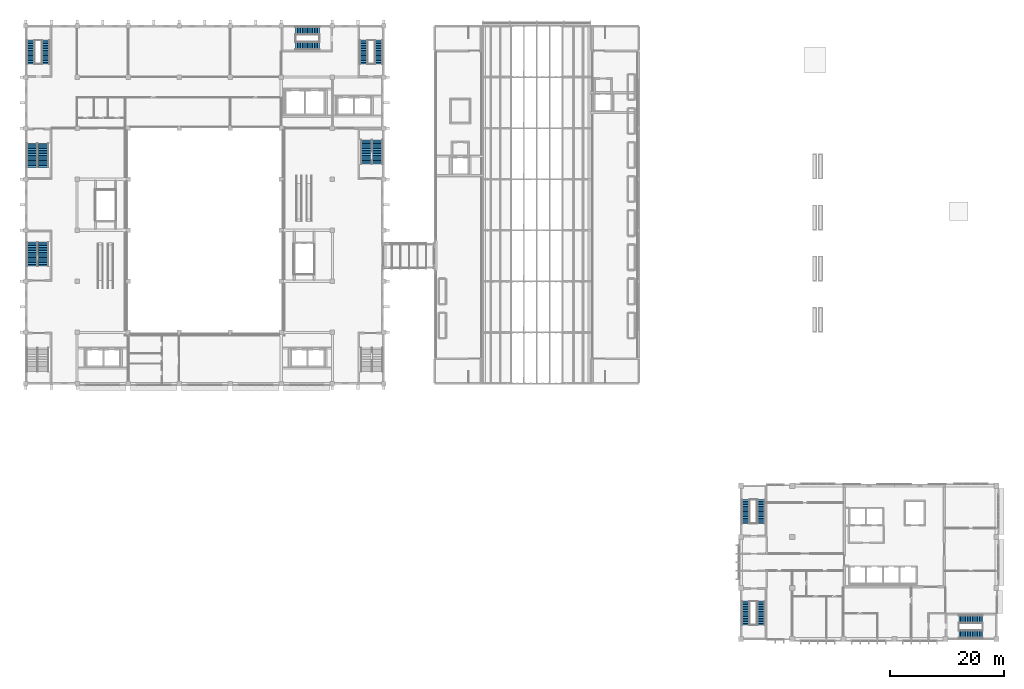
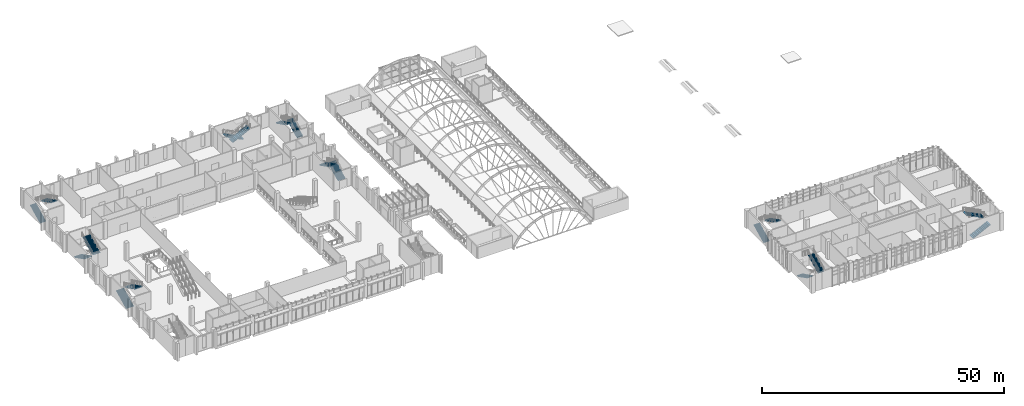
# One storey, part 62 of 79: 18 stair flights, 9 elements without a shape of their own.
"""IFC4 building model written with IfcOpenShell, lengths in metres."""

from ifc_helpers import new_model, si_unit, direction, frame, origin, place, context, subcontext, project, spatial, polyline, outline, extrude, material, type_object, element, aggregate, save


model = new_model("IFC4")

# Units and contexts
model_context = context("Model", 3, precision=1e-05, world=origin(), true_north=direction((0.0, 1.0)))
body_context = subcontext(model_context, "Body", "Model", "MODEL_VIEW")
ifc_project = project(units=[si_unit("LENGTHUNIT", "METRE"), si_unit("AREAUNIT", "SQUARE_METRE"), si_unit("VOLUMEUNIT", "CUBIC_METRE"), si_unit("PLANEANGLEUNIT", "RADIAN"), si_unit("MASSUNIT", "GRAM", prefix="KILO")], contexts=[model_context])

# Site, building, storey
site_placement = place(None, origin())
site = spatial("IfcSite", under=ifc_project, at=site_placement, CompositionType="ELEMENT")
building_placement = place(site_placement, origin())
building = spatial("IfcBuilding", under=site, at=building_placement, Name="Guidao Yard Department Store", CompositionType="ELEMENT")
storey_placement = place(building_placement, frame((0.0, 0.0, 15.0)))
storey = spatial("IfcBuildingStorey", under=building, at=storey_placement, Name="L03", CompositionType="ELEMENT", Elevation=15.0)

# Stair, stair flights
ifc_material_1 = material(Name="Concrete C35", Category="concrete")
stair_type_1 = type_object("IfcStairType", Name="Stair half-turn two-flight 1400 wide 4.5 m rise", PredefinedType="HALF_TURN_STAIR", material=ifc_material_1)
stair_1_placement = place(storey_placement, origin())
stair_1 = element("IfcStair", 1, at=stair_1_placement, inside=storey, type_object=stair_type_1, Name="Stair A5 L03 to L04", PredefinedType="HALF_TURN_STAIR")
ifc_material_2 = material(Name="Concrete C35", Category="concrete")
stair_flight_type_1 = type_object("IfcStairFlightType", Name="Stair flight RC straight 1400 wide 15 risers x 300 going C35", PredefinedType="STRAIGHT", material=ifc_material_2)
stair_flight_1_placement = place(storey_placement, frame((0.824951171875, 101.300048828125, 0.0), z_axis=(0.0, 0.0, 1.0), x_axis=(0.0, 1.0, 0.0)))
stair_flight_1 = element("IfcStairFlight", 2, at=stair_flight_1_placement, type_object=stair_flight_type_1, Name="SA5-L03 flight 1", NumberOfRisers=15, NumberOfTreads=14, PredefinedType="STRAIGHT", RiserHeight=0.15, TreadLength=0.3, context=body_context, shape_type="SweptSolid", body=[
    extrude(outline(polyline([(0.0, 0.0), (0.0, 0.14990234375), (0.300048828125, 0.14990234375), (0.300048828125, 0.300048828125), (0.60009765625, 0.300048828125), (0.60009765625, 0.449951171875), (0.89990234375, 0.449951171875), (0.89990234375, 0.60009765625), (1.199951171875, 0.60009765625), (1.199951171875, 0.75), (1.5, 0.75), (1.5, 0.89990234375), (1.800048828125, 0.89990234375), (1.800048828125, 1.050048828125), (2.10009765625, 1.050048828125), (2.10009765625, 1.199951171875), (2.39990234375, 1.199951171875), (2.39990234375, 1.35009765625), (2.699951171875, 1.35009765625), (2.699951171875, 1.5), (3.0, 1.5), (3.0, 1.64990234375), (3.300048828125, 1.64990234375), (3.300048828125, 1.800048828125), (3.60009765625, 1.800048828125), (3.60009765625, 1.949951171875), (3.89990234375, 1.949951171875), (3.89990234375, 2.10009765625), (4.199951171875, 2.10009765625), (4.199951171875, 2.25), (4.199951171875, 1.932373046875), (0.335205078125, 0.0), (0.0, 0.0)])), frame((0.0, 0.699951171875, 0.0), z_axis=(0.0, -1.0, 0.0), x_axis=(1.0, 0.0, 0.0)), (0.0, 0.0, 1.0), 1.39990234375),
])
stair_flight_2_placement = place(storey_placement, frame((3.5, 105.5, 2.25), z_axis=(0.0, 0.0, 1.0), x_axis=(0.0, -1.0, 0.0)))
stair_flight_2 = element("IfcStairFlight", 3, at=stair_flight_2_placement, type_object=stair_flight_type_1, Name="SA5-L03 flight 2", NumberOfRisers=15, NumberOfTreads=14, PredefinedType="STRAIGHT", RiserHeight=0.15, TreadLength=0.3, context=body_context, shape_type="SweptSolid", body=[
    extrude(outline(polyline([(0.0, 0.0), (0.0, 0.14990234375), (0.300048828125, 0.14990234375), (0.300048828125, 0.300048828125), (0.60009765625, 0.300048828125), (0.60009765625, 0.449951171875), (0.89990234375, 0.449951171875), (0.89990234375, 0.60009765625), (1.199951171875, 0.60009765625), (1.199951171875, 0.75), (1.5, 0.75), (1.5, 0.89990234375), (1.800048828125, 0.89990234375), (1.800048828125, 1.050048828125), (2.10009765625, 1.050048828125), (2.10009765625, 1.199951171875), (2.39990234375, 1.199951171875), (2.39990234375, 1.35009765625), (2.699951171875, 1.35009765625), (2.699951171875, 1.5), (3.0, 1.5), (3.0, 1.64990234375), (3.300048828125, 1.64990234375), (3.300048828125, 1.800048828125), (3.60009765625, 1.800048828125), (3.60009765625, 1.949951171875), (3.89990234375, 1.949951171875), (3.89990234375, 2.10009765625), (4.199951171875, 2.10009765625), (4.199951171875, 2.25), (4.199951171875, 1.932373046875), (0.335205078125, 0.0), (0.0, 0.0)])), frame((0.0, 0.699951171875, 0.0), z_axis=(0.0, -1.0, 0.0), x_axis=(1.0, 0.0, 0.0)), (0.0, 0.0, 1.0), 1.39990234375),
])
aggregate(stair_1, [stair_flight_1, stair_flight_2])

stair_2_placement = place(storey_placement, origin())
stair_2 = element("IfcStair", 4, at=stair_2_placement, inside=storey, type_object=stair_type_1, Name="Stair A6 L03 to L04", PredefinedType="HALF_TURN_STAIR")
stair_flight_3_placement = place(storey_placement, frame((62.175048828125, 101.300048828125, 0.0), z_axis=(0.0, 0.0, 1.0), x_axis=(0.0, 1.0, 0.0)))
stair_flight_3 = element("IfcStairFlight", 5, at=stair_flight_3_placement, type_object=stair_flight_type_1, Name="SA6-L03 flight 1", NumberOfRisers=15, NumberOfTreads=14, PredefinedType="STRAIGHT", RiserHeight=0.15, TreadLength=0.3, context=body_context, shape_type="SweptSolid", body=[
    extrude(outline(polyline([(0.0, 0.0), (0.0, 0.14990234375), (0.300048828125, 0.14990234375), (0.300048828125, 0.300048828125), (0.60009765625, 0.300048828125), (0.60009765625, 0.449951171875), (0.89990234375, 0.449951171875), (0.89990234375, 0.60009765625), (1.199951171875, 0.60009765625), (1.199951171875, 0.75), (1.5, 0.75), (1.5, 0.89990234375), (1.800048828125, 0.89990234375), (1.800048828125, 1.050048828125), (2.10009765625, 1.050048828125), (2.10009765625, 1.199951171875), (2.39990234375, 1.199951171875), (2.39990234375, 1.35009765625), (2.699951171875, 1.35009765625), (2.699951171875, 1.5), (3.0, 1.5), (3.0, 1.64990234375), (3.300048828125, 1.64990234375), (3.300048828125, 1.800048828125), (3.60009765625, 1.800048828125), (3.60009765625, 1.949951171875), (3.89990234375, 1.949951171875), (3.89990234375, 2.10009765625), (4.199951171875, 2.10009765625), (4.199951171875, 2.25), (4.199951171875, 1.932373046875), (0.335205078125, 0.0), (0.0, 0.0)])), frame((0.0, 0.699951171875, 0.0), z_axis=(0.0, -1.0, 0.0), x_axis=(1.0, 0.0, 0.0)), (0.0, 0.0, 1.0), 1.39990234375),
])
stair_flight_4_placement = place(storey_placement, frame((59.5, 105.5, 2.25), z_axis=(0.0, 0.0, 1.0), x_axis=(0.0, -1.0, 0.0)))
stair_flight_4 = element("IfcStairFlight", 6, at=stair_flight_4_placement, type_object=stair_flight_type_1, Name="SA6-L03 flight 2", NumberOfRisers=15, NumberOfTreads=14, PredefinedType="STRAIGHT", RiserHeight=0.15, TreadLength=0.3, context=body_context, shape_type="SweptSolid", body=[
    extrude(outline(polyline([(0.0, 0.0), (0.0, 0.14990234375), (0.300048828125, 0.14990234375), (0.300048828125, 0.300048828125), (0.60009765625, 0.300048828125), (0.60009765625, 0.449951171875), (0.89990234375, 0.449951171875), (0.89990234375, 0.60009765625), (1.199951171875, 0.60009765625), (1.199951171875, 0.75), (1.5, 0.75), (1.5, 0.89990234375), (1.800048828125, 0.89990234375), (1.800048828125, 1.050048828125), (2.10009765625, 1.050048828125), (2.10009765625, 1.199951171875), (2.39990234375, 1.199951171875), (2.39990234375, 1.35009765625), (2.699951171875, 1.35009765625), (2.699951171875, 1.5), (3.0, 1.5), (3.0, 1.64990234375), (3.300048828125, 1.64990234375), (3.300048828125, 1.800048828125), (3.60009765625, 1.800048828125), (3.60009765625, 1.949951171875), (3.89990234375, 1.949951171875), (3.89990234375, 2.10009765625), (4.199951171875, 2.10009765625), (4.199951171875, 2.25), (4.199951171875, 1.932373046875), (0.335205078125, 0.0), (0.0, 0.0)])), frame((0.0, 0.699951171875, 0.0), z_axis=(0.0, -1.0, 0.0), x_axis=(1.0, 0.0, 0.0)), (0.0, 0.0, 1.0), 1.39990234375),
])
aggregate(stair_2, [stair_flight_3, stair_flight_4])

stair_3_placement = place(storey_placement, origin())
stair_3 = element("IfcStair", 7, at=stair_3_placement, inside=storey, type_object=stair_type_1, Name="Stair A7 L03 to L04", PredefinedType="HALF_TURN_STAIR")
stair_flight_5_placement = place(storey_placement, frame((51.699951171875, 107.175048828125, 0.0), z_axis=(0.0, 0.0, 1.0), x_axis=(-1.0, 0.0, 0.0)))
stair_flight_5 = element("IfcStairFlight", 8, at=stair_flight_5_placement, type_object=stair_flight_type_1, Name="SA7-L03 flight 1", NumberOfRisers=15, NumberOfTreads=14, PredefinedType="STRAIGHT", RiserHeight=0.15, TreadLength=0.3, context=body_context, shape_type="SweptSolid", body=[
    extrude(outline(polyline([(0.0, 0.0), (0.0, 0.14990234375), (0.300048828125, 0.14990234375), (0.300048828125, 0.300048828125), (0.60009765625, 0.300048828125), (0.60009765625, 0.449951171875), (0.89990234375, 0.449951171875), (0.89990234375, 0.60009765625), (1.199951171875, 0.60009765625), (1.199951171875, 0.75), (1.5, 0.75), (1.5, 0.89990234375), (1.800048828125, 0.89990234375), (1.800048828125, 1.050048828125), (2.10009765625, 1.050048828125), (2.10009765625, 1.199951171875), (2.39990234375, 1.199951171875), (2.39990234375, 1.35009765625), (2.699951171875, 1.35009765625), (2.699951171875, 1.5), (3.0, 1.5), (3.0, 1.64990234375), (3.300048828125, 1.64990234375), (3.300048828125, 1.800048828125), (3.60009765625, 1.800048828125), (3.60009765625, 1.949951171875), (3.89990234375, 1.949951171875), (3.89990234375, 2.10009765625), (4.199951171875, 2.10009765625), (4.199951171875, 2.25), (4.199951171875, 1.932373046875), (0.335205078125, 0.0), (0.0, 0.0)])), frame((0.0, 0.699951171875, 0.0), z_axis=(0.0, -1.0, 0.0), x_axis=(1.0, 0.0, 0.0)), (0.0, 0.0, 1.0), 1.39990234375),
])
stair_flight_6_placement = place(storey_placement, frame((47.5, 104.5, 2.25), z_axis=(0.0, 0.0, 1.0), x_axis=(1.0, 0.0, 0.0)))
stair_flight_6 = element("IfcStairFlight", 9, at=stair_flight_6_placement, type_object=stair_flight_type_1, Name="SA7-L03 flight 2", NumberOfRisers=15, NumberOfTreads=14, PredefinedType="STRAIGHT", RiserHeight=0.15, TreadLength=0.3, context=body_context, shape_type="SweptSolid", body=[
    extrude(outline(polyline([(0.0, 0.0), (0.0, 0.14990234375), (0.300048828125, 0.14990234375), (0.300048828125, 0.300048828125), (0.60009765625, 0.300048828125), (0.60009765625, 0.449951171875), (0.89990234375, 0.449951171875), (0.89990234375, 0.60009765625), (1.199951171875, 0.60009765625), (1.199951171875, 0.75), (1.5, 0.75), (1.5, 0.89990234375), (1.800048828125, 0.89990234375), (1.800048828125, 1.050048828125), (2.10009765625, 1.050048828125), (2.10009765625, 1.199951171875), (2.39990234375, 1.199951171875), (2.39990234375, 1.35009765625), (2.699951171875, 1.35009765625), (2.699951171875, 1.5), (3.0, 1.5), (3.0, 1.64990234375), (3.300048828125, 1.64990234375), (3.300048828125, 1.800048828125), (3.60009765625, 1.800048828125), (3.60009765625, 1.949951171875), (3.89990234375, 1.949951171875), (3.89990234375, 2.10009765625), (4.199951171875, 2.10009765625), (4.199951171875, 2.25), (4.199951171875, 1.932373046875), (0.335205078125, 0.0), (0.0, 0.0)])), frame((0.0, 0.699951171875, 0.0), z_axis=(0.0, -1.0, 0.0), x_axis=(1.0, 0.0, 0.0)), (0.0, 0.0, 1.0), 1.39990234375),
])
aggregate(stair_3, [stair_flight_5, stair_flight_6])

stair_4_placement = place(storey_placement, origin())
stair_4 = element("IfcStair", 10, at=stair_4_placement, inside=storey, type_object=stair_type_1, Name="Stair O1 L03 to L04", PredefinedType="HALF_TURN_STAIR")
stair_flight_7_placement = place(storey_placement, frame((126.824951171875, 6.64990234375, 0.0), z_axis=(0.0, 0.0, 1.0), x_axis=(0.0, -1.0, 0.0)))
stair_flight_7 = element("IfcStairFlight", 11, at=stair_flight_7_placement, type_object=stair_flight_type_1, Name="SO1-L03 flight 1", NumberOfRisers=15, NumberOfTreads=14, PredefinedType="STRAIGHT", RiserHeight=0.15, TreadLength=0.3, context=body_context, shape_type="SweptSolid", body=[
    extrude(outline(polyline([(0.0, 0.0), (0.0, 0.14990234375), (0.300048828125, 0.14990234375), (0.300048828125, 0.300048828125), (0.60009765625, 0.300048828125), (0.60009765625, 0.449951171875), (0.89990234375, 0.449951171875), (0.89990234375, 0.60009765625), (1.199951171875, 0.60009765625), (1.199951171875, 0.75), (1.5, 0.75), (1.5, 0.89990234375), (1.800048828125, 0.89990234375), (1.800048828125, 1.050048828125), (2.10009765625, 1.050048828125), (2.10009765625, 1.199951171875), (2.39990234375, 1.199951171875), (2.39990234375, 1.35009765625), (2.699951171875, 1.35009765625), (2.699951171875, 1.5), (3.0, 1.5), (3.0, 1.64990234375), (3.300048828125, 1.64990234375), (3.300048828125, 1.800048828125), (3.60009765625, 1.800048828125), (3.60009765625, 1.949951171875), (3.89990234375, 1.949951171875), (3.89990234375, 2.10009765625), (4.199951171875, 2.10009765625), (4.199951171875, 2.25), (4.199951171875, 1.932373046875), (0.335205078125, 0.0), (0.0, 0.0)])), frame((0.0, 0.699951171875, 0.0), z_axis=(0.0, -1.0, 0.0), x_axis=(1.0, 0.0, 0.0)), (0.0, 0.0, 1.0), 1.39990234375),
])
stair_flight_8_placement = place(storey_placement, frame((129.5, 2.449951171875, 2.25), z_axis=(0.0, 0.0, 1.0), x_axis=(0.0, 1.0, 0.0)))
stair_flight_8 = element("IfcStairFlight", 12, at=stair_flight_8_placement, type_object=stair_flight_type_1, Name="SO1-L03 flight 2", NumberOfRisers=15, NumberOfTreads=14, PredefinedType="STRAIGHT", RiserHeight=0.15, TreadLength=0.3, context=body_context, shape_type="SweptSolid", body=[
    extrude(outline(polyline([(0.0, 0.0), (0.0, 0.14990234375), (0.300048828125, 0.14990234375), (0.300048828125, 0.300048828125), (0.60009765625, 0.300048828125), (0.60009765625, 0.449951171875), (0.89990234375, 0.449951171875), (0.89990234375, 0.60009765625), (1.199951171875, 0.60009765625), (1.199951171875, 0.75), (1.5, 0.75), (1.5, 0.89990234375), (1.800048828125, 0.89990234375), (1.800048828125, 1.050048828125), (2.10009765625, 1.050048828125), (2.10009765625, 1.199951171875), (2.39990234375, 1.199951171875), (2.39990234375, 1.35009765625), (2.699951171875, 1.35009765625), (2.699951171875, 1.5), (3.0, 1.5), (3.0, 1.64990234375), (3.300048828125, 1.64990234375), (3.300048828125, 1.800048828125), (3.60009765625, 1.800048828125), (3.60009765625, 1.949951171875), (3.89990234375, 1.949951171875), (3.89990234375, 2.10009765625), (4.199951171875, 2.10009765625), (4.199951171875, 2.25), (4.199951171875, 1.932373046875), (0.335205078125, 0.0), (0.0, 0.0)])), frame((0.0, 0.699951171875, 0.0), z_axis=(0.0, -1.0, 0.0), x_axis=(1.0, 0.0, 0.0)), (0.0, 0.0, 1.0), 1.39990234375),
])
aggregate(stair_4, [stair_flight_7, stair_flight_8])

stair_5_placement = place(storey_placement, origin())
stair_5 = element("IfcStair", 13, at=stair_5_placement, inside=storey, type_object=stair_type_1, Name="Stair O2 L03 to L04", PredefinedType="HALF_TURN_STAIR")
stair_flight_9_placement = place(storey_placement, frame((164.35009765625, 0.824951171875, 0.0), z_axis=(0.0, 0.0, 1.0), x_axis=(1.0, 0.0, 0.0)))
stair_flight_9 = element("IfcStairFlight", 14, at=stair_flight_9_placement, type_object=stair_flight_type_1, Name="SO2-L03 flight 1", NumberOfRisers=15, NumberOfTreads=14, PredefinedType="STRAIGHT", RiserHeight=0.15, TreadLength=0.3, context=body_context, shape_type="SweptSolid", body=[
    extrude(outline(polyline([(0.0, 0.0), (0.0, 0.14990234375), (0.300048828125, 0.14990234375), (0.300048828125, 0.300048828125), (0.60009765625, 0.300048828125), (0.60009765625, 0.449951171875), (0.89990234375, 0.449951171875), (0.89990234375, 0.60009765625), (1.199951171875, 0.60009765625), (1.199951171875, 0.75), (1.5, 0.75), (1.5, 0.89990234375), (1.800048828125, 0.89990234375), (1.800048828125, 1.050048828125), (2.10009765625, 1.050048828125), (2.10009765625, 1.199951171875), (2.39990234375, 1.199951171875), (2.39990234375, 1.35009765625), (2.699951171875, 1.35009765625), (2.699951171875, 1.5), (3.0, 1.5), (3.0, 1.64990234375), (3.300048828125, 1.64990234375), (3.300048828125, 1.800048828125), (3.60009765625, 1.800048828125), (3.60009765625, 1.949951171875), (3.89990234375, 1.949951171875), (3.89990234375, 2.10009765625), (4.199951171875, 2.10009765625), (4.199951171875, 2.25), (4.199951171875, 1.932373046875), (0.335205078125, 0.0), (0.0, 0.0)])), frame((0.0, 0.699951171875, 0.0), z_axis=(0.0, -1.0, 0.0), x_axis=(1.0, 0.0, 0.0)), (0.0, 0.0, 1.0), 1.39990234375),
])
stair_flight_10_placement = place(storey_placement, frame((168.550048828125, 3.5, 2.25), z_axis=(0.0, 0.0, 1.0), x_axis=(-1.0, 0.0, 0.0)))
stair_flight_10 = element("IfcStairFlight", 15, at=stair_flight_10_placement, type_object=stair_flight_type_1, Name="SO2-L03 flight 2", NumberOfRisers=15, NumberOfTreads=14, PredefinedType="STRAIGHT", RiserHeight=0.15, TreadLength=0.3, context=body_context, shape_type="SweptSolid", body=[
    extrude(outline(polyline([(0.0, 0.0), (0.0, 0.14990234375), (0.300048828125, 0.14990234375), (0.300048828125, 0.300048828125), (0.60009765625, 0.300048828125), (0.60009765625, 0.449951171875), (0.89990234375, 0.449951171875), (0.89990234375, 0.60009765625), (1.199951171875, 0.60009765625), (1.199951171875, 0.75), (1.5, 0.75), (1.5, 0.89990234375), (1.800048828125, 0.89990234375), (1.800048828125, 1.050048828125), (2.10009765625, 1.050048828125), (2.10009765625, 1.199951171875), (2.39990234375, 1.199951171875), (2.39990234375, 1.35009765625), (2.699951171875, 1.35009765625), (2.699951171875, 1.5), (3.0, 1.5), (3.0, 1.64990234375), (3.300048828125, 1.64990234375), (3.300048828125, 1.800048828125), (3.60009765625, 1.800048828125), (3.60009765625, 1.949951171875), (3.89990234375, 1.949951171875), (3.89990234375, 2.10009765625), (4.199951171875, 2.10009765625), (4.199951171875, 2.25), (4.199951171875, 1.932373046875), (0.335205078125, 0.0), (0.0, 0.0)])), frame((0.0, 0.699951171875, 0.0), z_axis=(0.0, -1.0, 0.0), x_axis=(1.0, 0.0, 0.0)), (0.0, 0.0, 1.0), 1.39990234375),
])
aggregate(stair_5, [stair_flight_9, stair_flight_10])

stair_6_placement = place(storey_placement, origin())
stair_6 = element("IfcStair", 16, at=stair_6_placement, inside=storey, type_object=stair_type_1, Name="Stair O3 L03 to L04", PredefinedType="HALF_TURN_STAIR")
stair_flight_11_placement = place(storey_placement, frame((126.824951171875, 20.35009765625, 0.0), z_axis=(0.0, 0.0, 1.0), x_axis=(0.0, 1.0, 0.0)))
stair_flight_11 = element("IfcStairFlight", 17, at=stair_flight_11_placement, type_object=stair_flight_type_1, Name="SO3-L03 flight 1", NumberOfRisers=15, NumberOfTreads=14, PredefinedType="STRAIGHT", RiserHeight=0.15, TreadLength=0.3, context=body_context, shape_type="SweptSolid", body=[
    extrude(outline(polyline([(0.0, 0.0), (0.0, 0.14990234375), (0.300048828125, 0.14990234375), (0.300048828125, 0.300048828125), (0.60009765625, 0.300048828125), (0.60009765625, 0.449951171875), (0.89990234375, 0.449951171875), (0.89990234375, 0.60009765625), (1.199951171875, 0.60009765625), (1.199951171875, 0.75), (1.5, 0.75), (1.5, 0.89990234375), (1.800048828125, 0.89990234375), (1.800048828125, 1.050048828125), (2.10009765625, 1.050048828125), (2.10009765625, 1.199951171875), (2.39990234375, 1.199951171875), (2.39990234375, 1.35009765625), (2.699951171875, 1.35009765625), (2.699951171875, 1.5), (3.0, 1.5), (3.0, 1.64990234375), (3.300048828125, 1.64990234375), (3.300048828125, 1.800048828125), (3.60009765625, 1.800048828125), (3.60009765625, 1.949951171875), (3.89990234375, 1.949951171875), (3.89990234375, 2.10009765625), (4.199951171875, 2.10009765625), (4.199951171875, 2.25), (4.199951171875, 1.932373046875), (0.335205078125, 0.0), (0.0, 0.0)])), frame((0.0, 0.699951171875, 0.0), z_axis=(0.0, -1.0, 0.0), x_axis=(1.0, 0.0, 0.0)), (0.0, 0.0, 1.0), 1.39990234375),
])
stair_flight_12_placement = place(storey_placement, frame((129.5, 24.550048828125, 2.25), z_axis=(0.0, 0.0, 1.0), x_axis=(0.0, -1.0, 0.0)))
stair_flight_12 = element("IfcStairFlight", 18, at=stair_flight_12_placement, type_object=stair_flight_type_1, Name="SO3-L03 flight 2", NumberOfRisers=15, NumberOfTreads=14, PredefinedType="STRAIGHT", RiserHeight=0.15, TreadLength=0.3, context=body_context, shape_type="SweptSolid", body=[
    extrude(outline(polyline([(0.0, 0.0), (0.0, 0.14990234375), (0.300048828125, 0.14990234375), (0.300048828125, 0.300048828125), (0.60009765625, 0.300048828125), (0.60009765625, 0.449951171875), (0.89990234375, 0.449951171875), (0.89990234375, 0.60009765625), (1.199951171875, 0.60009765625), (1.199951171875, 0.75), (1.5, 0.75), (1.5, 0.89990234375), (1.800048828125, 0.89990234375), (1.800048828125, 1.050048828125), (2.10009765625, 1.050048828125), (2.10009765625, 1.199951171875), (2.39990234375, 1.199951171875), (2.39990234375, 1.35009765625), (2.699951171875, 1.35009765625), (2.699951171875, 1.5), (3.0, 1.5), (3.0, 1.64990234375), (3.300048828125, 1.64990234375), (3.300048828125, 1.800048828125), (3.60009765625, 1.800048828125), (3.60009765625, 1.949951171875), (3.89990234375, 1.949951171875), (3.89990234375, 2.10009765625), (4.199951171875, 2.10009765625), (4.199951171875, 2.25), (4.199951171875, 1.932373046875), (0.335205078125, 0.0), (0.0, 0.0)])), frame((0.0, 0.699951171875, 0.0), z_axis=(0.0, -1.0, 0.0), x_axis=(1.0, 0.0, 0.0)), (0.0, 0.0, 1.0), 1.39990234375),
])
aggregate(stair_6, [stair_flight_11, stair_flight_12])

ifc_material_3 = material(Name="Concrete C35", Category="concrete")
stair_type_2 = type_object("IfcStairType", Name="Stair half-turn two-flight 1800 wide 4.5 m rise", PredefinedType="HALF_TURN_STAIR", material=ifc_material_3)
stair_7_placement = place(storey_placement, origin())
stair_7 = element("IfcStair", 19, at=stair_7_placement, inside=storey, type_object=stair_type_2, Name="Stair A1 L03 to L04", PredefinedType="HALF_TURN_STAIR")
ifc_material_4 = material(Name="Concrete C35", Category="concrete")
stair_flight_type_2 = type_object("IfcStairFlightType", Name="Stair flight RC straight 1800 wide 15 risers x 300 going C35", PredefinedType="STRAIGHT", material=ifc_material_4)
stair_flight_13_placement = place(storey_placement, frame((1.02490234375, 65.699951171875, 0.0), z_axis=(0.0, 0.0, 1.0), x_axis=(0.0, 1.0, 0.0)))
stair_flight_13 = element("IfcStairFlight", 20, at=stair_flight_13_placement, type_object=stair_flight_type_2, Name="SA1-L03 flight 1", NumberOfRisers=15, NumberOfTreads=14, PredefinedType="STRAIGHT", RiserHeight=0.15, TreadLength=0.3, context=body_context, shape_type="SweptSolid", body=[
    extrude(outline(polyline([(0.0, 0.0), (0.0, 0.14990234375), (0.300048828125, 0.14990234375), (0.300048828125, 0.300048828125), (0.60009765625, 0.300048828125), (0.60009765625, 0.449951171875), (0.89990234375, 0.449951171875), (0.89990234375, 0.60009765625), (1.199951171875, 0.60009765625), (1.199951171875, 0.75), (1.5, 0.75), (1.5, 0.89990234375), (1.800048828125, 0.89990234375), (1.800048828125, 1.050048828125), (2.10009765625, 1.050048828125), (2.10009765625, 1.199951171875), (2.39990234375, 1.199951171875), (2.39990234375, 1.35009765625), (2.699951171875, 1.35009765625), (2.699951171875, 1.5), (3.0, 1.5), (3.0, 1.64990234375), (3.300048828125, 1.64990234375), (3.300048828125, 1.800048828125), (3.60009765625, 1.800048828125), (3.60009765625, 1.949951171875), (3.89990234375, 1.949951171875), (3.89990234375, 2.10009765625), (4.199951171875, 2.10009765625), (4.199951171875, 2.25), (4.199951171875, 1.932373046875), (0.335205078125, 0.0), (0.0, 0.0)])), frame((0.0, 0.89990234375, 0.0), z_axis=(0.0, -1.0, 0.0), x_axis=(1.0, 0.0, 0.0)), (0.0, 0.0, 1.0), 1.800048828125),
])
stair_flight_14_placement = place(storey_placement, frame((3.074951171875, 69.89990234375, 2.25), z_axis=(0.0, 0.0, 1.0), x_axis=(0.0, -1.0, 0.0)))
stair_flight_14 = element("IfcStairFlight", 21, at=stair_flight_14_placement, type_object=stair_flight_type_2, Name="SA1-L03 flight 2", NumberOfRisers=15, NumberOfTreads=14, PredefinedType="STRAIGHT", RiserHeight=0.15, TreadLength=0.3, context=body_context, shape_type="SweptSolid", body=[
    extrude(outline(polyline([(0.0, 0.0), (0.0, 0.14990234375), (0.300048828125, 0.14990234375), (0.300048828125, 0.300048828125), (0.60009765625, 0.300048828125), (0.60009765625, 0.449951171875), (0.89990234375, 0.449951171875), (0.89990234375, 0.60009765625), (1.199951171875, 0.60009765625), (1.199951171875, 0.75), (1.5, 0.75), (1.5, 0.89990234375), (1.800048828125, 0.89990234375), (1.800048828125, 1.050048828125), (2.10009765625, 1.050048828125), (2.10009765625, 1.199951171875), (2.39990234375, 1.199951171875), (2.39990234375, 1.35009765625), (2.699951171875, 1.35009765625), (2.699951171875, 1.5), (3.0, 1.5), (3.0, 1.64990234375), (3.300048828125, 1.64990234375), (3.300048828125, 1.800048828125), (3.60009765625, 1.800048828125), (3.60009765625, 1.949951171875), (3.89990234375, 1.949951171875), (3.89990234375, 2.10009765625), (4.199951171875, 2.10009765625), (4.199951171875, 2.25), (4.199951171875, 1.932373046875), (0.335205078125, 0.0), (0.0, 0.0)])), frame((0.0, 0.89990234375, 0.0), z_axis=(0.0, -1.0, 0.0), x_axis=(1.0, 0.0, 0.0)), (0.0, 0.0, 1.0), 1.800048828125),
])
aggregate(stair_7, [stair_flight_13, stair_flight_14])

stair_8_placement = place(storey_placement, origin())
stair_8 = element("IfcStair", 22, at=stair_8_placement, inside=storey, type_object=stair_type_2, Name="Stair A3 L03 to L04", PredefinedType="HALF_TURN_STAIR")
stair_flight_15_placement = place(storey_placement, frame((1.02490234375, 87.300048828125, 0.0), z_axis=(0.0, 0.0, 1.0), x_axis=(0.0, -1.0, 0.0)))
stair_flight_15 = element("IfcStairFlight", 23, at=stair_flight_15_placement, type_object=stair_flight_type_2, Name="SA3-L03 flight 1", NumberOfRisers=15, NumberOfTreads=14, PredefinedType="STRAIGHT", RiserHeight=0.15, TreadLength=0.3, context=body_context, shape_type="SweptSolid", body=[
    extrude(outline(polyline([(0.0, 0.0), (0.0, 0.14990234375), (0.300048828125, 0.14990234375), (0.300048828125, 0.300048828125), (0.60009765625, 0.300048828125), (0.60009765625, 0.449951171875), (0.89990234375, 0.449951171875), (0.89990234375, 0.60009765625), (1.199951171875, 0.60009765625), (1.199951171875, 0.75), (1.5, 0.75), (1.5, 0.89990234375), (1.800048828125, 0.89990234375), (1.800048828125, 1.050048828125), (2.10009765625, 1.050048828125), (2.10009765625, 1.199951171875), (2.39990234375, 1.199951171875), (2.39990234375, 1.35009765625), (2.699951171875, 1.35009765625), (2.699951171875, 1.5), (3.0, 1.5), (3.0, 1.64990234375), (3.300048828125, 1.64990234375), (3.300048828125, 1.800048828125), (3.60009765625, 1.800048828125), (3.60009765625, 1.949951171875), (3.89990234375, 1.949951171875), (3.89990234375, 2.10009765625), (4.199951171875, 2.10009765625), (4.199951171875, 2.25), (4.199951171875, 1.932373046875), (0.335205078125, 0.0), (0.0, 0.0)])), frame((0.0, 0.89990234375, 0.0), z_axis=(0.0, -1.0, 0.0), x_axis=(1.0, 0.0, 0.0)), (0.0, 0.0, 1.0), 1.800048828125),
])
stair_flight_16_placement = place(storey_placement, frame((3.074951171875, 83.10009765625, 2.25), z_axis=(0.0, 0.0, 1.0), x_axis=(0.0, 1.0, 0.0)))
stair_flight_16 = element("IfcStairFlight", 24, at=stair_flight_16_placement, type_object=stair_flight_type_2, Name="SA3-L03 flight 2", NumberOfRisers=15, NumberOfTreads=14, PredefinedType="STRAIGHT", RiserHeight=0.15, TreadLength=0.3, context=body_context, shape_type="SweptSolid", body=[
    extrude(outline(polyline([(0.0, 0.0), (0.0, 0.14990234375), (0.300048828125, 0.14990234375), (0.300048828125, 0.300048828125), (0.60009765625, 0.300048828125), (0.60009765625, 0.449951171875), (0.89990234375, 0.449951171875), (0.89990234375, 0.60009765625), (1.199951171875, 0.60009765625), (1.199951171875, 0.75), (1.5, 0.75), (1.5, 0.89990234375), (1.800048828125, 0.89990234375), (1.800048828125, 1.050048828125), (2.10009765625, 1.050048828125), (2.10009765625, 1.199951171875), (2.39990234375, 1.199951171875), (2.39990234375, 1.35009765625), (2.699951171875, 1.35009765625), (2.699951171875, 1.5), (3.0, 1.5), (3.0, 1.64990234375), (3.300048828125, 1.64990234375), (3.300048828125, 1.800048828125), (3.60009765625, 1.800048828125), (3.60009765625, 1.949951171875), (3.89990234375, 1.949951171875), (3.89990234375, 2.10009765625), (4.199951171875, 2.10009765625), (4.199951171875, 2.25), (4.199951171875, 1.932373046875), (0.335205078125, 0.0), (0.0, 0.0)])), frame((0.0, 0.89990234375, 0.0), z_axis=(0.0, -1.0, 0.0), x_axis=(1.0, 0.0, 0.0)), (0.0, 0.0, 1.0), 1.800048828125),
])
aggregate(stair_8, [stair_flight_15, stair_flight_16])

stair_9_placement = place(storey_placement, origin())
stair_9 = element("IfcStair", 25, at=stair_9_placement, inside=storey, type_object=stair_type_2, Name="Stair A4 L03 to L04", PredefinedType="HALF_TURN_STAIR")
stair_flight_17_placement = place(storey_placement, frame((61.97509765625, 83.699951171875, 0.0), z_axis=(0.0, 0.0, 1.0), x_axis=(0.0, 1.0, 0.0)))
stair_flight_17 = element("IfcStairFlight", 26, at=stair_flight_17_placement, type_object=stair_flight_type_2, Name="SA4-L03 flight 1", NumberOfRisers=15, NumberOfTreads=14, PredefinedType="STRAIGHT", RiserHeight=0.15, TreadLength=0.3, context=body_context, shape_type="SweptSolid", body=[
    extrude(outline(polyline([(0.0, 0.0), (0.0, 0.14990234375), (0.300048828125, 0.14990234375), (0.300048828125, 0.300048828125), (0.60009765625, 0.300048828125), (0.60009765625, 0.449951171875), (0.89990234375, 0.449951171875), (0.89990234375, 0.60009765625), (1.199951171875, 0.60009765625), (1.199951171875, 0.75), (1.5, 0.75), (1.5, 0.89990234375), (1.800048828125, 0.89990234375), (1.800048828125, 1.050048828125), (2.10009765625, 1.050048828125), (2.10009765625, 1.199951171875), (2.39990234375, 1.199951171875), (2.39990234375, 1.35009765625), (2.699951171875, 1.35009765625), (2.699951171875, 1.5), (3.0, 1.5), (3.0, 1.64990234375), (3.300048828125, 1.64990234375), (3.300048828125, 1.800048828125), (3.60009765625, 1.800048828125), (3.60009765625, 1.949951171875), (3.89990234375, 1.949951171875), (3.89990234375, 2.10009765625), (4.199951171875, 2.10009765625), (4.199951171875, 2.25), (4.199951171875, 1.932373046875), (0.335205078125, 0.0), (0.0, 0.0)])), frame((0.0, 0.89990234375, 0.0), z_axis=(0.0, -1.0, 0.0), x_axis=(1.0, 0.0, 0.0)), (0.0, 0.0, 1.0), 1.800048828125),
])
stair_flight_18_placement = place(storey_placement, frame((59.925048828125, 87.89990234375, 2.25), z_axis=(0.0, 0.0, 1.0), x_axis=(0.0, -1.0, 0.0)))
stair_flight_18 = element("IfcStairFlight", 27, at=stair_flight_18_placement, type_object=stair_flight_type_2, Name="SA4-L03 flight 2", NumberOfRisers=15, NumberOfTreads=14, PredefinedType="STRAIGHT", RiserHeight=0.15, TreadLength=0.3, context=body_context, shape_type="SweptSolid", body=[
    extrude(outline(polyline([(0.0, 0.0), (0.0, 0.14990234375), (0.300048828125, 0.14990234375), (0.300048828125, 0.300048828125), (0.60009765625, 0.300048828125), (0.60009765625, 0.449951171875), (0.89990234375, 0.449951171875), (0.89990234375, 0.60009765625), (1.199951171875, 0.60009765625), (1.199951171875, 0.75), (1.5, 0.75), (1.5, 0.89990234375), (1.800048828125, 0.89990234375), (1.800048828125, 1.050048828125), (2.10009765625, 1.050048828125), (2.10009765625, 1.199951171875), (2.39990234375, 1.199951171875), (2.39990234375, 1.35009765625), (2.699951171875, 1.35009765625), (2.699951171875, 1.5), (3.0, 1.5), (3.0, 1.64990234375), (3.300048828125, 1.64990234375), (3.300048828125, 1.800048828125), (3.60009765625, 1.800048828125), (3.60009765625, 1.949951171875), (3.89990234375, 1.949951171875), (3.89990234375, 2.10009765625), (4.199951171875, 2.10009765625), (4.199951171875, 2.25), (4.199951171875, 1.932373046875), (0.335205078125, 0.0), (0.0, 0.0)])), frame((0.0, 0.89990234375, 0.0), z_axis=(0.0, -1.0, 0.0), x_axis=(1.0, 0.0, 0.0)), (0.0, 0.0, 1.0), 1.800048828125),
])
aggregate(stair_9, [stair_flight_17, stair_flight_18])

save(model, "model.ifc")
